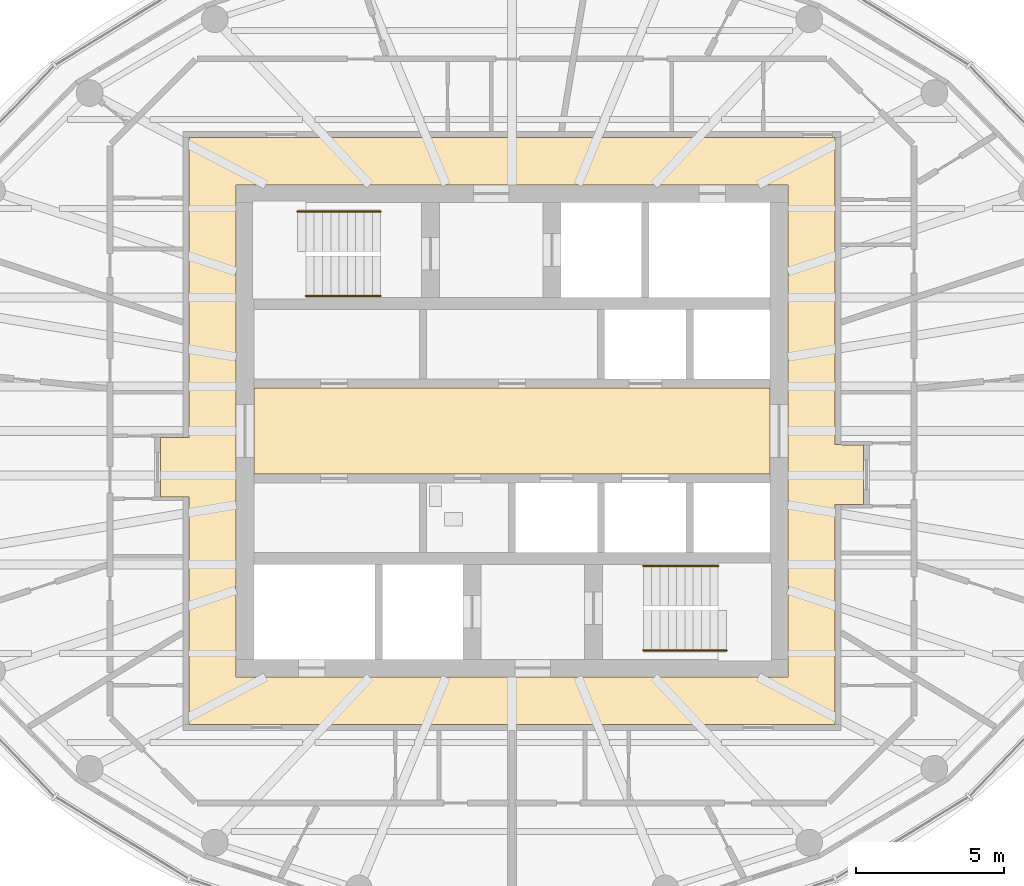
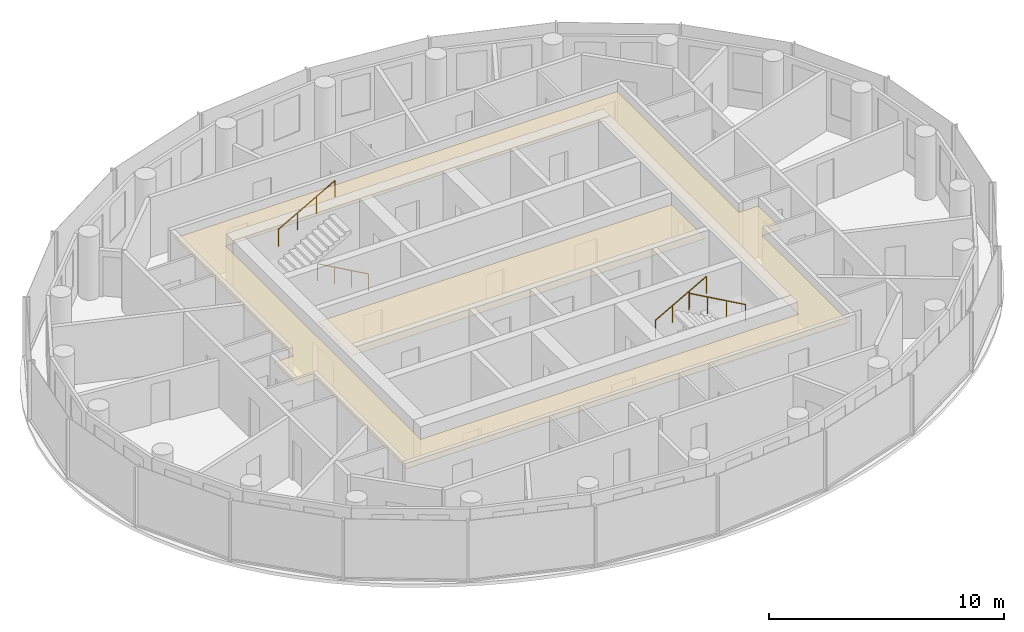
# One storey, part 11 of 12: 4 railings, 2 coverings.
"""IFC4 building model written with IfcOpenShell, lengths in metres."""

import ifcopenshell
import ifcopenshell.guid

model = None  # the IFC model being written
_history = None  # IfcOwnerHistory: only IFC2X3 demands one
_inside = {}  # id of a spatial element -> (the spatial element, [elements in it])
_under = {}  # id of a project, library or spatial element -> (it, [spatial elements below it])
_declared = {}  # id of a project -> (the project, [libraries it declares])
_typed = {}  # id of a type object -> (the type object, [elements of that type])
_made_of = {}  # id of a material, layer set ... -> (it, [elements and type objects made of it])


def new_model(schema):
    """Start an empty IFC model of exactly this schema.

    Asked for "IFC4X3", IfcOpenShell would pick the latest addendum, in which some entities
    have other attributes; the version numbers below select the first issue.
    IFC2X3 requires an IfcOwnerHistory on every rooted entity: one is made here for all.
    """
    global model, _history
    if schema == "IFC4X3":
        model = ifcopenshell.file(schema_version=(4, 3, 0, 0))
    else:
        model = ifcopenshell.file(schema=schema)
    _inside.clear()
    _under.clear()
    _declared.clear()
    _typed.clear()
    _made_of.clear()
    _history = None
    if model.schema == "IFC2X3":
        org = make("IfcOrganization", Name="unknown")
        user = make(
            "IfcPersonAndOrganization",
            ThePerson=make("IfcPerson", FamilyName="unknown"),
            TheOrganization=org,
        )
        app = make(
            "IfcApplication",
            ApplicationDeveloper=org,
            Version="unknown",
            ApplicationFullName="unknown",
            ApplicationIdentifier="unknown",
        )
        _history = make(
            "IfcOwnerHistory",
            OwningUser=user,
            OwningApplication=app,
            ChangeAction="ADDED",
            CreationDate=0,
        )
    return model


def make(cls, **values):
    """One entity of the class cls with the attributes given. An attribute that is None is left unset."""
    return model.create_entity(
        cls, **{name: value for name, value in values.items() if value is not None}
    )


def rooted(cls, **values):
    """An entity with a GlobalId (a new one), such as an element, a storey or a relation."""
    return make(cls, GlobalId=ifcopenshell.guid.new(), OwnerHistory=_history, **values)


def si_unit(unit_type, name, prefix=None):
    """IfcSIUnit, for example si_unit("LENGTHUNIT", "METRE", prefix="MILLI")."""
    return make("IfcSIUnit", UnitType=unit_type, Prefix=prefix, Name=name)


def assignment(units):
    """IfcUnitAssignment: the units of a project."""
    return None if units is None else make("IfcUnitAssignment", Units=units)


def point(xyz):
    """IfcCartesianPoint."""
    return None if xyz is None else make("IfcCartesianPoint", Coordinates=xyz)


def direction(xyz):
    """IfcDirection."""
    return None if xyz is None else make("IfcDirection", DirectionRatios=xyz)


def frame(location, z_axis=None, x_axis=None):
    """IfcAxis2Placement3D, a coordinate frame: its origin and axes. An axis left out is left unset."""
    return make(
        "IfcAxis2Placement3D",
        Location=point(location),
        Axis=direction(z_axis),
        RefDirection=direction(x_axis),
    )


def frame_2d(location, x_axis=None):
    """IfcAxis2Placement2D, a coordinate frame in the plane: its origin and x axis."""
    return make(
        "IfcAxis2Placement2D", Location=point(location), RefDirection=direction(x_axis)
    )


def origin():
    """The frame at (0, 0, 0) with its axes left unset."""
    return frame((0.0, 0.0, 0.0))


def origin_2d():
    """The frame at (0, 0) in the plane with its x axis left unset."""
    return frame_2d((0.0, 0.0))


def place(relative_to, where):
    """IfcLocalPlacement: puts the frame where relative to a parent placement (None: the world)."""
    return make(
        "IfcLocalPlacement", PlacementRelTo=relative_to, RelativePlacement=where
    )


def context(
    kind, dimensions, precision=None, world=None, true_north=None, identifier=None
):
    """IfcGeometricRepresentationContext, for example the 3D "Model" context."""
    return make(
        "IfcGeometricRepresentationContext",
        ContextIdentifier=identifier,
        ContextType=kind,
        CoordinateSpaceDimension=dimensions,
        Precision=precision,
        WorldCoordinateSystem=world,
        TrueNorth=true_north,
    )


def subcontext(parent, identifier, kind, view, scale=None):
    """IfcGeometricRepresentationSubContext, for example "Body" below "Model"."""
    return make(
        "IfcGeometricRepresentationSubContext",
        ContextIdentifier=identifier,
        ContextType=kind,
        ParentContext=parent,
        TargetScale=scale,
        TargetView=view,
    )


def project(units=None, contexts=None):
    """IfcProject with its units and contexts."""
    return rooted(
        "IfcProject",
        Name="project",
        RepresentationContexts=contexts,
        UnitsInContext=assignment(units),
    )


def spatial(cls, under=None, at=None, **own):
    """A site, building, storey or space (cls), placed at a placement, below another one or the project."""
    s = rooted(cls, ObjectPlacement=at, **own)
    if under is not None:
        _under.setdefault(under.id(), (under, []))[1].append(s)
    return s


def polyline(points):
    """IfcPolyline through the points."""
    return make("IfcPolyline", Points=[point(p) for p in points])


def profile(cls, at=None, kind="AREA", **sizes):
    """A parametric profile (cls). Its sizes go by their IFC names, for example OverallWidth=200.0."""
    return make(cls, ProfileType=kind, Position=at, **sizes)


def circle(**sizes):
    """IfcCircleProfileDef."""
    return profile("IfcCircleProfileDef", **sizes)


def outline(outer, holes=None, kind="AREA"):
    """IfcArbitraryClosedProfileDef: a profile drawn as a closed curve; with holes, ...WithVoids."""
    if holes is None:
        return make("IfcArbitraryClosedProfileDef", ProfileType=kind, OuterCurve=outer)
    return make(
        "IfcArbitraryProfileDefWithVoids",
        ProfileType=kind,
        OuterCurve=outer,
        InnerCurves=holes,
    )


def extrude(swept, where, along, depth):
    """IfcExtrudedAreaSolid: the profile swept, set in the frame where, extruded along a direction by depth."""
    return make(
        "IfcExtrudedAreaSolid",
        SweptArea=swept,
        Position=where,
        ExtrudedDirection=direction(along),
        Depth=depth,
    )


def shape(context_of_items, identifier, shape_type, items):
    """IfcShapeRepresentation: the items that make up one representation, for example the "Body"."""
    return make(
        "IfcShapeRepresentation",
        ContextOfItems=context_of_items,
        RepresentationIdentifier=identifier,
        RepresentationType=shape_type,
        Items=items,
    )


def material(Name=None, Category=None):
    """IfcMaterial."""
    return make("IfcMaterial", Name=Name, Category=Category)


def layer(
    of_material, thickness, ventilated=None, Name=None, Category=None, Priority=None
):
    """IfcMaterialLayer: one layer of a wall or slab, of a material (None: an air gap)."""
    return make(
        "IfcMaterialLayer",
        Material=of_material,
        LayerThickness=thickness,
        IsVentilated=ventilated,
        Name=Name,
        Category=Category,
        Priority=Priority,
    )


def layer_set(layers, Name=None):
    """IfcMaterialLayerSet."""
    return make("IfcMaterialLayerSet", MaterialLayers=layers, LayerSetName=Name)


def made_of(thing, what):
    """Note that an element or type object is made of a material, layer set ...; save() writes the relation."""
    if what is not None:
        _made_of.setdefault(what.id(), (what, []))[1].append(thing)
    return thing


def type_object(cls, material=None, **own):
    """A type object (cls), such as IfcWallType, which elements share."""
    return made_of(rooted(cls, **own), material)


def element(
    cls,
    number,
    at=None,
    inside=None,
    cuts=None,
    type_object=None,
    material=None,
    context=None,
    identifier="Body",
    shape_type=None,
    held_by="IfcProductDefinitionShape",
    body=None,
    shapes=None,
    **own,
):
    """One element of the class cls, such as IfcWall. Its Tag is "e" and its number.

    at: its placement. inside: the storey or other place that contains it. cuts: it is an
    opening in that element (IfcRelVoidsElement). A single representation is given by context,
    identifier, shape_type and body (its items); several are given by shapes. held_by: the class
    of the entity that holds the representations. save() writes the other relations.
    """
    e = rooted(cls, Tag="e%d" % number, ObjectPlacement=at, **own)
    if body is not None:
        shapes = [shape(context, identifier, shape_type, body)]
    if shapes is not None:
        e.Representation = make(held_by, Representations=shapes)
    if inside is not None:
        _inside.setdefault(inside.id(), (inside, []))[1].append(e)
    if cuts is not None:
        rooted(
            "IfcRelVoidsElement", RelatingBuildingElement=cuts, RelatedOpeningElement=e
        )
    if type_object is not None:
        _typed.setdefault(type_object.id(), (type_object, []))[1].append(e)
    return made_of(e, material)


def aggregate(whole, parts):
    """IfcRelAggregates: a whole, such as a stair, and the parts it consists of."""
    return rooted("IfcRelAggregates", RelatingObject=whole, RelatedObjects=parts)


def save(model, path):
    """Write the relations noted so far, then the file.

    IfcRelAggregates (storeys below a building ...), IfcRelContainedInSpatialStructure (elements
    in a storey), IfcRelDefinesByType, IfcRelAssociatesMaterial and IfcRelDeclares: one each for
    every whole, place, type object, material and project.
    """
    for whole, parts in _under.values():
        aggregate(whole, parts)
    for where, things in _inside.values():
        rooted(
            "IfcRelContainedInSpatialStructure",
            RelatedElements=things,
            RelatingStructure=where,
        )
    for kind, things in _typed.values():
        rooted("IfcRelDefinesByType", RelatedObjects=things, RelatingType=kind)
    for what, things in _made_of.values():
        rooted("IfcRelAssociatesMaterial", RelatedObjects=things, RelatingMaterial=what)
    for by, libraries in _declared.values():
        rooted("IfcRelDeclares", RelatingContext=by, RelatedDefinitions=libraries)
    model.write(path)


model = new_model("IFC4")

# Units and contexts
model_context = context("Model", 3, precision=1e-05, world=origin(), true_north=direction((0.0, 1.0)))
body_context = subcontext(model_context, "Body", "Model", "MODEL_VIEW")
ifc_project = project(units=[si_unit("LENGTHUNIT", "METRE"), si_unit("AREAUNIT", "SQUARE_METRE"), si_unit("VOLUMEUNIT", "CUBIC_METRE"), si_unit("PLANEANGLEUNIT", "RADIAN"), si_unit("MASSUNIT", "GRAM", prefix="KILO")], contexts=[model_context])

# Site, building, storey
site_placement = place(None, origin())
site = spatial("IfcSite", under=ifc_project, at=site_placement, CompositionType="ELEMENT")
building_placement = place(site_placement, origin())
building = spatial("IfcBuilding", under=site, at=building_placement, Name="Hankou Lantern Tower", CompositionType="ELEMENT")
storey_placement = place(building_placement, frame((0.0, 0.0, 222.60009765625)))
storey = spatial("IfcBuildingStorey", under=building, at=storey_placement, Name="L60", CompositionType="ELEMENT", Elevation=222.60009765625)

# Coverings
ifc_material_1 = material(Name="Black painted aluminium linear ceiling panels", Category="aluminium")
ifc_layer_1 = layer(ifc_material_1, 0.02490234375)
ifc_layer_set_1 = layer_set([ifc_layer_1], Name="Black painted aluminium linear ceiling panels")
covering_type_1 = type_object("IfcCoveringType", Name="CL1 CORRIDOR CEILING 25", PredefinedType="CEILING", material=ifc_layer_set_1)
covering_1_placement = place(storey_placement, frame((0.0, 0.0, 2.64501953125)))
element("IfcCovering", 1, at=covering_1_placement, inside=storey, type_object=covering_type_1, Name="Corridor ceiling L60", PredefinedType="CEILING", context=body_context, shape_type="SweptSolid", body=[
    extrude(outline(polyline([(11.85009765625, -2.474365234375), (11.85009765625, -0.474365234375), (11.1201171875, -0.474365234375), (11.1201171875, -0.46435546875), (10.89794921875, -0.46435546875), (10.89794921875, 9.89794921875), (-10.89794921875, 9.89794921875), (-10.89794921875, -0.21435546875), (-11.1201171875, -0.21435546875), (-11.1201171875, -0.224365234375), (-11.85009765625, -0.224365234375), (-11.85009765625, -2.224365234375), (-11.1201171875, -2.224365234375), (-11.1201171875, -2.234375), (-10.89794921875, -2.234375), (-10.89794921875, -9.89794921875), (10.89794921875, -9.89794921875), (10.89794921875, -2.484375), (11.1201171875, -2.484375), (11.1201171875, -2.474365234375), (11.85009765625, -2.474365234375)]), holes=[polyline([(-9.300048828125, 8.300048828125), (9.300048828125, 8.300048828125), (9.300048828125, -8.300048828125), (-9.300048828125, -8.300048828125), (-9.300048828125, 8.300048828125)])]), origin(), (0.0, 0.0, 1.0), 0.02490234375),
])
ifc_material_2 = material(Name="Perforated black aluminium acoustic tray ceiling", Category="aluminium")
ifc_layer_2 = layer(ifc_material_2, 0.014892578125)
ifc_layer_set_2 = layer_set([ifc_layer_2], Name="Perforated black aluminium acoustic tray ceiling")
covering_type_2 = type_object("IfcCoveringType", Name="CL2 LIFT LOBBY CEILING 15", PredefinedType="CEILING", material=ifc_layer_set_2)
covering_2_placement = place(storey_placement, frame((0.0, 0.0, 2.65478515625)))
element("IfcCovering", 2, at=covering_2_placement, inside=storey, type_object=covering_type_2, Name="Lift lobby ceiling L60", PredefinedType="CEILING", context=body_context, shape_type="SweptSolid", body=[
    extrude(outline(polyline([(-8.699951171875, -1.449951171875), (8.699951171875, -1.449951171875), (8.699951171875, 1.449951171875), (-8.699951171875, 1.449951171875), (-8.699951171875, -1.449951171875)])), origin(), (0.0, 0.0, 1.0), 0.01513671875),
])

# Railings
ifc_material_3 = material(Name="Steel handrail", Category="steel")
railing_type = type_object("IfcRailingType", Name="HR1 STAIR HANDRAIL", PredefinedType="HANDRAIL", material=ifc_material_3)
railing_1_placement = place(storey_placement, frame((-4.429931640625, 4.550048828125, 0.89990234375)))
element("IfcRailing", 3, at=railing_1_placement, inside=storey, type_object=railing_type, Name="Handrail stair STA L60 flight 1", PredefinedType="HANDRAIL", context=body_context, shape_type="SweptSolid", body=[
    extrude(circle(Radius=0.02392578125, at=origin_2d()), frame((0.0, 0.0, 0.8759765625), z_axis=(-0.872048945198, 0.0, 0.489418672692), x_axis=(0.0, -1.0, 0.0)), (0.0, 0.0, 1.0), 2.8896484375),
    extrude(circle(Radius=0.02099609375, at=origin_2d()), origin(), (0.0, 0.0, 1.0), 0.851806640625),
    extrude(circle(Radius=0.02099609375, at=origin_2d()), frame((-0.840087890625, 0.0, 0.471435546875)), (0.0, 0.0, 1.0), 0.851806640625),
    extrude(circle(Radius=0.02099609375, at=origin_2d()), frame((-1.679931640625, 0.0, 0.94287109375)), (0.0, 0.0, 1.0), 0.851806640625),
    extrude(circle(Radius=0.02099609375, at=origin_2d()), frame((-2.52001953125, 0.0, 1.414306640625)), (0.0, 0.0, 1.0), 0.851806640625),
])
railing_2_placement = place(storey_placement, frame((-7.22998046875, 7.39990234375, 2.471435546875)))
element("IfcRailing", 4, at=railing_2_placement, inside=storey, type_object=railing_type, Name="Handrail stair STA L60 flight 2", PredefinedType="HANDRAIL", context=body_context, shape_type="SweptSolid", body=[
    extrude(circle(Radius=0.02392578125, at=origin_2d()), frame((0.0, 0.0, 0.8759765625), z_axis=(0.872072602893, 0.0, 0.489376516891), x_axis=(0.0, 1.0, 0.0)), (0.0, 0.0, 1.0), 3.210693359375),
    extrude(circle(Radius=0.02099609375, at=origin_2d()), origin(), (0.0, 0.0, 1.0), 0.851806640625),
    extrude(circle(Radius=0.02099609375, at=origin_2d()), frame((0.933349609375, 0.0, 0.523681640625)), (0.0, 0.0, 1.0), 0.851806640625),
    extrude(circle(Radius=0.02099609375, at=origin_2d()), frame((1.86669921875, 0.0, 1.047607421875)), (0.0, 0.0, 1.0), 0.851806640625),
    extrude(circle(Radius=0.02099609375, at=origin_2d()), frame((2.800048828125, 0.0, 1.5712890625)), (0.0, 0.0, 1.0), 0.851806640625),
])
railing_3_placement = place(storey_placement, frame((4.429931640625, -4.550048828125, 0.89990234375)))
element("IfcRailing", 5, at=railing_3_placement, inside=storey, type_object=railing_type, Name="Handrail stair STB L60 flight 1", PredefinedType="HANDRAIL", context=body_context, shape_type="SweptSolid", body=[
    extrude(circle(Radius=0.02392578125, at=origin_2d()), frame((0.0, 0.0, 0.8759765625), z_axis=(0.872048945198, 0.0, 0.489418672692), x_axis=(0.0, 1.0, 0.0)), (0.0, 0.0, 1.0), 2.8896484375),
    extrude(circle(Radius=0.02099609375, at=origin_2d()), origin(), (0.0, 0.0, 1.0), 0.851806640625),
    extrude(circle(Radius=0.02099609375, at=origin_2d()), frame((0.840087890625, 0.0, 0.471435546875)), (0.0, 0.0, 1.0), 0.851806640625),
    extrude(circle(Radius=0.02099609375, at=origin_2d()), frame((1.679931640625, 0.0, 0.94287109375)), (0.0, 0.0, 1.0), 0.851806640625),
    extrude(circle(Radius=0.02099609375, at=origin_2d()), frame((2.52001953125, 0.0, 1.414306640625)), (0.0, 0.0, 1.0), 0.851806640625),
])
railing_4_placement = place(storey_placement, frame((7.22998046875, -7.39990234375, 2.471435546875)))
element("IfcRailing", 6, at=railing_4_placement, inside=storey, type_object=railing_type, Name="Handrail stair STB L60 flight 2", PredefinedType="HANDRAIL", context=body_context, shape_type="SweptSolid", body=[
    extrude(circle(Radius=0.02392578125, at=origin_2d()), frame((0.0, 0.0, 0.8759765625), z_axis=(-0.872072602893, 0.0, 0.489376516891), x_axis=(0.0, -1.0, 0.0)), (0.0, 0.0, 1.0), 3.210693359375),
    extrude(circle(Radius=0.02099609375, at=origin_2d()), origin(), (0.0, 0.0, 1.0), 0.851806640625),
    extrude(circle(Radius=0.02099609375, at=origin_2d()), frame((-0.933349609375, 0.0, 0.523681640625)), (0.0, 0.0, 1.0), 0.851806640625),
    extrude(circle(Radius=0.02099609375, at=origin_2d()), frame((-1.86669921875, 0.0, 1.047607421875)), (0.0, 0.0, 1.0), 0.851806640625),
    extrude(circle(Radius=0.02099609375, at=origin_2d()), frame((-2.800048828125, 0.0, 1.5712890625)), (0.0, 0.0, 1.0), 0.851806640625),
])

save(model, "model.ifc")
